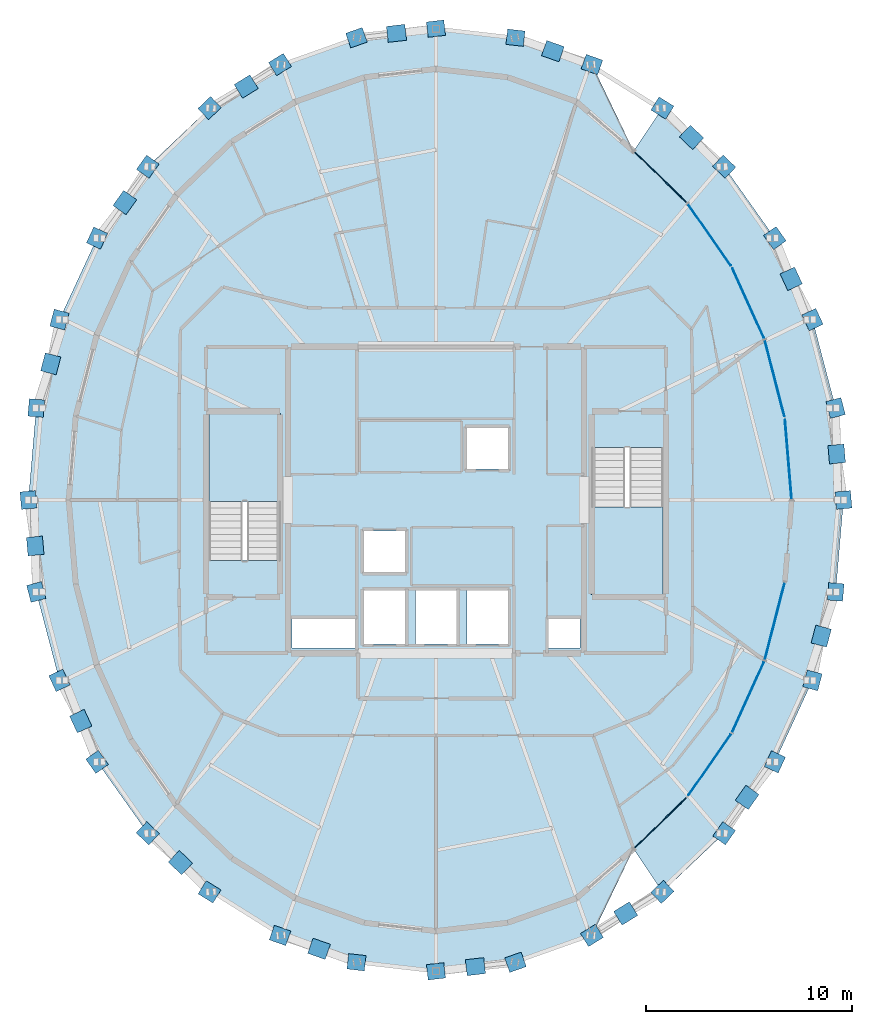
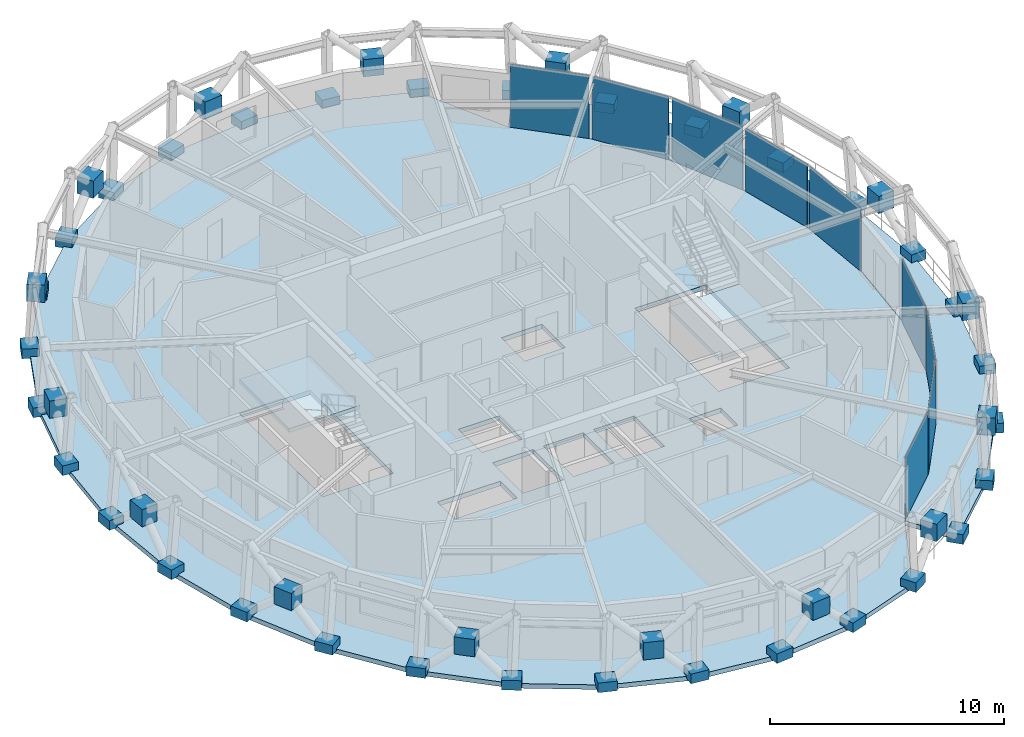
# One storey, part 10 of 15: 57 plates, 4 slabs, 4 elements without a shape of their own.
"""IFC4 building model written with IfcOpenShell, lengths in metres."""

from ifc_helpers import new_model, si_unit, direction, frame, origin, origin_2d, place, context, subcontext, project, spatial, polyline, rectangle, outline, extrude, material, layer, layer_set, type_object, element, aggregate, save


model = new_model("IFC4")

# Units and contexts
model_context = context("Model", 3, precision=1e-05, world=origin(), true_north=direction((0.0, 1.0)))
body_context = subcontext(model_context, "Body", "Model", "MODEL_VIEW")
ifc_project = project(units=[si_unit("LENGTHUNIT", "METRE"), si_unit("AREAUNIT", "SQUARE_METRE"), si_unit("VOLUMEUNIT", "CUBIC_METRE"), si_unit("PLANEANGLEUNIT", "RADIAN"), si_unit("MASSUNIT", "GRAM", prefix="KILO")], contexts=[model_context])

# Site, building, storey
site_placement = place(None, origin())
site = spatial("IfcSite", under=ifc_project, at=site_placement, CompositionType="ELEMENT")
building_placement = place(site_placement, origin())
building = spatial("IfcBuilding", under=site, at=building_placement, Name="Veldorina Hangang Commons", CompositionType="ELEMENT")
storey_placement = place(building_placement, frame((0.0, 0.0, 290.39990234375)))
storey = spatial("IfcBuildingStorey", under=building, at=storey_placement, Name="L76", CompositionType="ELEMENT", Elevation=290.39990234375)

# Curtain wall, plates
ifc_material_1 = material(Name="Glass Low-E Selective", Category="glass")
ifc_layer_1 = layer(ifc_material_1, 0.179931640625)
ifc_layer_set_1 = layer_set([ifc_layer_1], Name="Glass Low-E Selective")
curtain_wall_type = type_object("IfcCurtainWallType", Name="CW-SYS-Z3", PredefinedType="NOTDEFINED", material=ifc_layer_set_1)
curtain_wall_1_placement = place(storey_placement, origin())
curtain_wall_1 = element("IfcCurtainWall", 1, at=curtain_wall_1_placement, inside=storey, type_object=curtain_wall_type, Name="L76 unitised curtain wall CW-L76-R1", PredefinedType="NOTDEFINED")
ifc_material_2 = material(Name="Glass Low-E Triple IGU", Category="glass")
ifc_layer_2 = layer(ifc_material_2, 0.0400390625)
ifc_layer_set_2 = layer_set([ifc_layer_2], Name="Glass Low-E Triple IGU")
plate_type_1 = type_object("IfcPlateType", Name="CW-PNL-VIS", PredefinedType="CURTAIN_PANEL", material=ifc_layer_set_2)
plate_1_placement = place(storey_placement, frame((49.135009765625, 25.990234375, 0.01513671875), z_axis=(0.0, 0.0, 1.0), x_axis=(-0.083208247862, 0.996532180859, 0.0)))
plate_1 = element("IfcPlate", 2, at=plate_1_placement, type_object=plate_type_1, Name="CW-L76-R1 facet 1 glazed vision panel", PredefinedType="CURTAIN_PANEL", context=body_context, shape_type="SweptSolid", body=[
    extrude(rectangle(XDim=3.814697265625, YDim=0.0400390625, at=origin_2d()), origin(), (0.0, 0.0, 1.0), 3.2900390625),
])
plate_2_placement = place(storey_placement, frame((48.4765625, 29.89453125, 0.01513671875), z_axis=(0.0, 0.0, 1.0), x_axis=(-0.249129390641, 0.968470209515, 0.0)))
plate_2 = element("IfcPlate", 3, at=plate_2_placement, type_object=plate_type_1, Name="CW-L76-R1 facet 2 glazed vision panel", PredefinedType="CURTAIN_PANEL", context=body_context, shape_type="SweptSolid", body=[
    extrude(rectangle(XDim=3.772216796875, YDim=0.0400390625, at=origin_2d()), origin(), (0.0, 0.0, 1.0), 3.2900390625),
])
plate_3_placement = place(storey_placement, frame((47.184814453125, 33.572265625, 0.01513671875), z_axis=(0.0, 0.0, 1.0), x_axis=(-0.412802412978, 0.910820601348, 0.0)))
plate_3 = element("IfcPlate", 4, at=plate_3_placement, type_object=plate_type_1, Name="CW-L76-R1 facet 3 glazed vision panel", PredefinedType="CURTAIN_PANEL", context=body_context, shape_type="SweptSolid", body=[
    extrude(rectangle(XDim=3.693115234375, YDim=0.0400390625, at=origin_2d()), origin(), (0.0, 0.0, 1.0), 3.2900390625),
])
plate_4_placement = place(storey_placement, frame((45.309814453125, 36.882080078125, 0.01513671875), z_axis=(0.0, 0.0, 1.0), x_axis=(-0.57118642099, 0.820820365535, 0.0)))
plate_4 = element("IfcPlate", 5, at=plate_4_placement, type_object=plate_type_1, Name="CW-L76-R1 facet 4 glazed vision panel", PredefinedType="CURTAIN_PANEL", context=body_context, shape_type="SweptSolid", body=[
    extrude(rectangle(XDim=3.5869140625, YDim=0.0400390625, at=origin_2d()), origin(), (0.0, 0.0, 1.0), 3.2900390625),
])
plate_5_placement = place(storey_placement, frame((42.923095703125, 39.69677734375, 0.01513671875), z_axis=(0.0, 0.0, 1.0), x_axis=(-0.718551272686, 0.695473988386, 0.0)))
plate_5 = element("IfcPlate", 6, at=plate_5_placement, type_object=plate_type_1, Name="CW-L76-R1 facet 5 glazed vision panel", PredefinedType="CURTAIN_PANEL", context=body_context, shape_type="SweptSolid", body=[
    extrude(rectangle(XDim=3.46875, YDim=0.0400390625, at=origin_2d()), origin(), (0.0, 0.0, 1.0), 3.2900390625),
])
aggregate(curtain_wall_1, [plate_1, plate_2, plate_3, plate_4, plate_5])

curtain_wall_2_placement = place(storey_placement, origin())
curtain_wall_2 = element("IfcCurtainWall", 7, at=curtain_wall_2_placement, inside=storey, type_object=curtain_wall_type, Name="L76 unitised curtain wall CW-L76-R2", PredefinedType="NOTDEFINED")
plate_6_placement = place(storey_placement, frame((42.923095703125, 8.30322265625, 0.01513671875), z_axis=(0.0, 0.0, 1.0), x_axis=(0.718551272686, 0.695473988386, 0.0)))
plate_6 = element("IfcPlate", 8, at=plate_6_placement, type_object=plate_type_1, Name="CW-L76-R2 facet 1 glazed vision panel", PredefinedType="CURTAIN_PANEL", context=body_context, shape_type="SweptSolid", body=[
    extrude(rectangle(XDim=3.46875, YDim=0.0400390625, at=origin_2d()), origin(), (0.0, 0.0, 1.0), 3.2900390625),
])
plate_7_placement = place(storey_placement, frame((45.309814453125, 11.1181640625, 0.01513671875), z_axis=(0.0, 0.0, 1.0), x_axis=(0.57118642099, 0.820820365535, 0.0)))
plate_7 = element("IfcPlate", 9, at=plate_7_placement, type_object=plate_type_1, Name="CW-L76-R2 facet 2 glazed vision panel", PredefinedType="CURTAIN_PANEL", context=body_context, shape_type="SweptSolid", body=[
    extrude(rectangle(XDim=3.5869140625, YDim=0.0400390625, at=origin_2d()), origin(), (0.0, 0.0, 1.0), 3.2900390625),
])
plate_8_placement = place(storey_placement, frame((47.184814453125, 14.427734375, 0.01513671875), z_axis=(0.0, 0.0, 1.0), x_axis=(0.412802412978, 0.910820601348, 0.0)))
plate_8 = element("IfcPlate", 10, at=plate_8_placement, type_object=plate_type_1, Name="CW-L76-R2 facet 3 glazed vision panel", PredefinedType="CURTAIN_PANEL", context=body_context, shape_type="SweptSolid", body=[
    extrude(rectangle(XDim=3.693115234375, YDim=0.0400390625, at=origin_2d()), origin(), (0.0, 0.0, 1.0), 3.2900390625),
])
plate_9_placement = place(storey_placement, frame((48.4765625, 18.10546875, 0.01513671875), z_axis=(0.0, 0.0, 1.0), x_axis=(0.249129390641, 0.968470209515, 0.0)))
plate_9 = element("IfcPlate", 11, at=plate_9_placement, type_object=plate_type_1, Name="CW-L76-R2 facet 4 glazed vision panel", PredefinedType="CURTAIN_PANEL", context=body_context, shape_type="SweptSolid", body=[
    extrude(rectangle(XDim=3.772216796875, YDim=0.0400390625, at=origin_2d()), origin(), (0.0, 0.0, 1.0), 3.2900390625),
])
aggregate(curtain_wall_2, [plate_6, plate_7, plate_8, plate_9])

# Plates
ifc_material_3 = material(Name="Steel SM460-TMC", Category="steel")
ifc_layer_3 = layer(ifc_material_3, 0.035888671875)
ifc_layer_set_3 = layer_set([ifc_layer_3], Name="Steel SM460-TMC")
plate_type_2 = type_object("IfcPlateType", Name="PL-STAR-36", PredefinedType="USERDEFINED", material=ifc_layer_set_3)
plate_10_placement = place(storey_placement, frame((51.8212890625, 24.0, -0.08984375), z_axis=(0.0, 0.0, 1.0), x_axis=(-0.084860445655, 0.996392846604, 0.0)))
element("IfcPlate", 12, at=plate_10_placement, inside=storey, type_object=plate_type_2, Name="L76 diagrid star-node gusset plate 00", ObjectType="GUSSET PLATE", PredefinedType="USERDEFINED", context=body_context, shape_type="SweptSolid", body=[
    extrude(rectangle(XDim=0.85009765625, YDim=0.75, at=origin_2d()), origin(), (0.0, 0.0, 1.0), 0.5),
])
plate_11_placement = place(storey_placement, frame((51.49072265625, 26.235595703125, 1.350830078125), z_axis=(0.0, 0.0, 1.0), x_axis=(-0.084860445655, 0.996392846604, 0.0)))
element("IfcPlate", 13, at=plate_11_placement, inside=storey, type_object=plate_type_2, Name="L76 diagrid X-crossing star-node gusset plate 00", ObjectType="GUSSET PLATE", PredefinedType="USERDEFINED", context=body_context, shape_type="SweptSolid", body=[
    extrude(rectangle(XDim=0.89990234375, YDim=0.780029296875, at=origin_2d()), origin(), (0.0, 0.0, 1.0), 0.89990234375),
])
for number, where, z_axis, x_axis, name in (
    (14, (51.4404296875, 28.472412109375, -0.08984375), (0.0, 0.0, 1.0), (-0.253690415938, 0.967285466065, 0.0), "L76 diagrid star-node gusset plate 01"),
    (15, (50.3125, 32.772705078125, -0.08984375), (0.0, 0.0, 1.0), (-0.419531299378, 0.907740870977, 0.0), "L76 diagrid star-node gusset plate 02"),
):
    element("IfcPlate", number, at=place(storey_placement, frame(where, z_axis=z_axis, x_axis=x_axis)), inside=storey, type_object=plate_type_2, Name=name, ObjectType="GUSSET PLATE", PredefinedType="USERDEFINED", context=body_context, shape_type="SweptSolid", body=[
        extrude(rectangle(XDim=0.85009765625, YDim=0.75, at=origin_2d()), origin(), (0.0, 0.0, 1.0), 0.5),
    ])
plate_12_placement = place(storey_placement, frame((49.276611328125, 34.75390625, 1.352783203125), z_axis=(0.0, 0.0, 1.0), x_axis=(-0.419531299378, 0.907740870977, 0.0)))
element("IfcPlate", 16, at=plate_12_placement, inside=storey, type_object=plate_type_2, Name="L76 diagrid X-crossing star-node gusset plate 02", ObjectType="GUSSET PLATE", PredefinedType="USERDEFINED", context=body_context, shape_type="SweptSolid", body=[
    extrude(rectangle(XDim=0.89990234375, YDim=0.780029296875, at=origin_2d()), origin(), (0.0, 0.0, 1.0), 0.89990234375),
])
for number, where, z_axis, x_axis, name in (
    (17, (48.480712890625, 36.736083984375, -0.08984375), (0.0, 0.0, 1.0), (-0.57869773086, 0.815542111909, 0.0), "L76 diagrid star-node gusset plate 03"),
    (18, (46.015869140625, 40.2099609375, -0.08984375), (0.0, 0.0, 1.0), (-0.725314297982, 0.688417873928, 0.0), "L76 diagrid star-node gusset plate 04"),
):
    element("IfcPlate", number, at=place(storey_placement, frame(where, z_axis=z_axis, x_axis=x_axis)), inside=storey, type_object=plate_type_2, Name=name, ObjectType="GUSSET PLATE", PredefinedType="USERDEFINED", context=body_context, shape_type="SweptSolid", body=[
        extrude(rectangle(XDim=0.85009765625, YDim=0.75, at=origin_2d()), origin(), (0.0, 0.0, 1.0), 0.5),
    ])
plate_13_placement = place(storey_placement, frame((44.428466796875, 41.635986328125, 1.357177734375), z_axis=(0.0, 0.0, 1.0), x_axis=(-0.725314297982, 0.688417873928, 0.0)))
element("IfcPlate", 19, at=plate_13_placement, inside=storey, type_object=plate_type_2, Name="L76 diagrid X-crossing star-node gusset plate 04", ObjectType="GUSSET PLATE", PredefinedType="USERDEFINED", context=body_context, shape_type="SweptSolid", body=[
    extrude(rectangle(XDim=0.89990234375, YDim=0.780029296875, at=origin_2d()), origin(), (0.0, 0.0, 1.0), 0.89990234375),
])
for number, where, z_axis, x_axis, name in (
    (20, (43.01220703125, 43.060791015625, -0.08984375), (0.0, 0.0, 1.0), (-0.850590925738, 0.525827991886, 0.0), "L76 diagrid star-node gusset plate 05"),
    (21, (39.585205078125, 45.17919921875, -0.08984375), (0.0, 0.0, 1.0), (-0.943616210334, 0.331041459028, 0.0), "L76 diagrid star-node gusset plate 06"),
):
    element("IfcPlate", number, at=place(storey_placement, frame(where, z_axis=z_axis, x_axis=x_axis)), inside=storey, type_object=plate_type_2, Name=name, ObjectType="GUSSET PLATE", PredefinedType="USERDEFINED", context=body_context, shape_type="SweptSolid", body=[
        extrude(rectangle(XDim=0.85009765625, YDim=0.75, at=origin_2d()), origin(), (0.0, 0.0, 1.0), 0.5),
    ])
plate_14_placement = place(storey_placement, frame((37.68603515625, 45.82958984375, 1.36181640625), z_axis=(0.0, 0.0, 1.0), x_axis=(-0.943616210334, 0.331041459028, 0.0)))
element("IfcPlate", 22, at=plate_14_placement, inside=storey, type_object=plate_type_2, Name="L76 diagrid X-crossing star-node gusset plate 06", ObjectType="GUSSET PLATE", PredefinedType="USERDEFINED", context=body_context, shape_type="SweptSolid", body=[
    extrude(rectangle(XDim=0.89990234375, YDim=0.780029296875, at=origin_2d()), origin(), (0.0, 0.0, 1.0), 0.89990234375),
])
for number, where, z_axis, x_axis, name in (
    (23, (35.866943359375, 46.483642578125, -0.08984375), (0.0, 0.0, 1.0), (-0.993573831294, 0.11318587265, 0.0), "L76 diagrid star-node gusset plate 07"),
    (24, (32.0, 46.92431640625, -0.08984375), (0.0, 0.0, 1.0), (-0.993573831294, -0.11318587265, 0.0), "L76 diagrid star-node gusset plate 08"),
):
    element("IfcPlate", number, at=place(storey_placement, frame(where, z_axis=z_axis, x_axis=x_axis)), inside=storey, type_object=plate_type_2, Name=name, ObjectType="GUSSET PLATE", PredefinedType="USERDEFINED", context=body_context, shape_type="SweptSolid", body=[
        extrude(rectangle(XDim=0.85009765625, YDim=0.75, at=origin_2d()), origin(), (0.0, 0.0, 1.0), 0.5),
    ])
plate_15_placement = place(storey_placement, frame((30.080810546875, 46.6962890625, 1.363037109375), z_axis=(0.0, 0.0, 1.0), x_axis=(-0.993573831294, -0.11318587265, 0.0)))
element("IfcPlate", 25, at=plate_15_placement, inside=storey, type_object=plate_type_2, Name="L76 diagrid X-crossing star-node gusset plate 08", ObjectType="GUSSET PLATE", PredefinedType="USERDEFINED", context=body_context, shape_type="SweptSolid", body=[
    extrude(rectangle(XDim=0.89990234375, YDim=0.780029296875, at=origin_2d()), origin(), (0.0, 0.0, 1.0), 0.89990234375),
])
for number, where, z_axis, x_axis, name in (
    (26, (28.133056640625, 46.483642578125, -0.08984375), (0.0, 0.0, 1.0), (-0.943616210334, -0.331041459028, 0.0), "L76 diagrid star-node gusset plate 09"),
    (27, (24.414794921875, 45.17919921875, -0.08984375), (0.0, 0.0, 1.0), (-0.850590925738, -0.525827991886, 0.0), "L76 diagrid star-node gusset plate 10"),
):
    element("IfcPlate", number, at=place(storey_placement, frame(where, z_axis=z_axis, x_axis=x_axis)), inside=storey, type_object=plate_type_2, Name=name, ObjectType="GUSSET PLATE", PredefinedType="USERDEFINED", context=body_context, shape_type="SweptSolid", body=[
        extrude(rectangle(XDim=0.85009765625, YDim=0.75, at=origin_2d()), origin(), (0.0, 0.0, 1.0), 0.5),
    ])
plate_16_placement = place(storey_placement, frame((22.77197265625, 44.109375, 1.359619140625), z_axis=(0.0, 0.0, 1.0), x_axis=(-0.850590925738, -0.525827991886, 0.0)))
element("IfcPlate", 28, at=plate_16_placement, inside=storey, type_object=plate_type_2, Name="L76 diagrid X-crossing star-node gusset plate 10", ObjectType="GUSSET PLATE", PredefinedType="USERDEFINED", context=body_context, shape_type="SweptSolid", body=[
    extrude(rectangle(XDim=0.89990234375, YDim=0.780029296875, at=origin_2d()), origin(), (0.0, 0.0, 1.0), 0.89990234375),
])
for number, where, z_axis, x_axis, name in (
    (29, (20.98779296875, 43.060791015625, -0.08984375), (0.0, 0.0, 1.0), (-0.725314297982, -0.688417873928, 0.0), "L76 diagrid star-node gusset plate 11"),
    (30, (17.984130859375, 40.2099609375, -0.08984375), (0.0, 0.0, 1.0), (-0.57869773086, -0.815542111909, 0.0), "L76 diagrid star-node gusset plate 12"),
):
    element("IfcPlate", number, at=place(storey_placement, frame(where, z_axis=z_axis, x_axis=x_axis)), inside=storey, type_object=plate_type_2, Name=name, ObjectType="GUSSET PLATE", PredefinedType="USERDEFINED", context=body_context, shape_type="SweptSolid", body=[
        extrude(rectangle(XDim=0.85009765625, YDim=0.75, at=origin_2d()), origin(), (0.0, 0.0, 1.0), 0.5),
    ])
plate_17_placement = place(storey_placement, frame((16.867431640625, 38.465087890625, 1.354736328125), z_axis=(0.0, 0.0, 1.0), x_axis=(-0.57869773086, -0.815542111909, 0.0)))
element("IfcPlate", 31, at=plate_17_placement, inside=storey, type_object=plate_type_2, Name="L76 diagrid X-crossing star-node gusset plate 12", ObjectType="GUSSET PLATE", PredefinedType="USERDEFINED", context=body_context, shape_type="SweptSolid", body=[
    extrude(rectangle(XDim=0.89990234375, YDim=0.780029296875, at=origin_2d()), origin(), (0.0, 0.0, 1.0), 0.89990234375),
])
for number, where, z_axis, x_axis, name in (
    (32, (15.519287109375, 36.736083984375, -0.08984375), (0.0, 0.0, 1.0), (-0.419531299378, -0.907740870977, 0.0), "L76 diagrid star-node gusset plate 13"),
    (33, (13.6875, 32.772705078125, -0.08984375), (0.0, 0.0, 1.0), (-0.253690415938, -0.967285466065, 0.0), "L76 diagrid star-node gusset plate 14"),
):
    element("IfcPlate", number, at=place(storey_placement, frame(where, z_axis=z_axis, x_axis=x_axis)), inside=storey, type_object=plate_type_2, Name=name, ObjectType="GUSSET PLATE", PredefinedType="USERDEFINED", context=body_context, shape_type="SweptSolid", body=[
        extrude(rectangle(XDim=0.85009765625, YDim=0.75, at=origin_2d()), origin(), (0.0, 0.0, 1.0), 0.5),
    ])
plate_18_placement = place(storey_placement, frame((13.26318359375, 30.619873046875, 1.3515625), z_axis=(0.0, 0.0, 1.0), x_axis=(-0.253690415938, -0.967285466065, 0.0)))
element("IfcPlate", 34, at=plate_18_placement, inside=storey, type_object=plate_type_2, Name="L76 diagrid X-crossing star-node gusset plate 14", ObjectType="GUSSET PLATE", PredefinedType="USERDEFINED", context=body_context, shape_type="SweptSolid", body=[
    extrude(rectangle(XDim=0.89990234375, YDim=0.780029296875, at=origin_2d()), origin(), (0.0, 0.0, 1.0), 0.89990234375),
])
for number, where, z_axis, x_axis, name in (
    (35, (12.5595703125, 28.472412109375, -0.08984375), (0.0, 0.0, 1.0), (-0.084860445655, -0.996392846604, 0.0), "L76 diagrid star-node gusset plate 15"),
    (36, (12.1787109375, 24.0, -0.08984375), (0.0, 0.0, 1.0), (0.084860445655, -0.996392846604, 0.0), "L76 diagrid star-node gusset plate 16"),
):
    element("IfcPlate", number, at=place(storey_placement, frame(where, z_axis=z_axis, x_axis=x_axis)), inside=storey, type_object=plate_type_2, Name=name, ObjectType="GUSSET PLATE", PredefinedType="USERDEFINED", context=body_context, shape_type="SweptSolid", body=[
        extrude(rectangle(XDim=0.85009765625, YDim=0.75, at=origin_2d()), origin(), (0.0, 0.0, 1.0), 0.5),
    ])
plate_19_placement = place(storey_placement, frame((12.50927734375, 21.764404296875, 1.350830078125), z_axis=(0.0, 0.0, 1.0), x_axis=(0.084860445655, -0.996392846604, 0.0)))
element("IfcPlate", 37, at=plate_19_placement, inside=storey, type_object=plate_type_2, Name="L76 diagrid X-crossing star-node gusset plate 16", ObjectType="GUSSET PLATE", PredefinedType="USERDEFINED", context=body_context, shape_type="SweptSolid", body=[
    extrude(rectangle(XDim=0.89990234375, YDim=0.780029296875, at=origin_2d()), origin(), (0.0, 0.0, 1.0), 0.89990234375),
])
for number, where, z_axis, x_axis, name in (
    (38, (12.5595703125, 19.527587890625, -0.08984375), (0.0, 0.0, 1.0), (0.253690415938, -0.967285466065, 0.0), "L76 diagrid star-node gusset plate 17"),
    (39, (13.6875, 15.227294921875, -0.08984375), (0.0, 0.0, 1.0), (0.419531299378, -0.907740870977, 0.0), "L76 diagrid star-node gusset plate 18"),
):
    element("IfcPlate", number, at=place(storey_placement, frame(where, z_axis=z_axis, x_axis=x_axis)), inside=storey, type_object=plate_type_2, Name=name, ObjectType="GUSSET PLATE", PredefinedType="USERDEFINED", context=body_context, shape_type="SweptSolid", body=[
        extrude(rectangle(XDim=0.85009765625, YDim=0.75, at=origin_2d()), origin(), (0.0, 0.0, 1.0), 0.5),
    ])
plate_20_placement = place(storey_placement, frame((14.723388671875, 13.24609375, 1.352783203125), z_axis=(0.0, 0.0, 1.0), x_axis=(0.419531299378, -0.907740870977, 0.0)))
element("IfcPlate", 40, at=plate_20_placement, inside=storey, type_object=plate_type_2, Name="L76 diagrid X-crossing star-node gusset plate 18", ObjectType="GUSSET PLATE", PredefinedType="USERDEFINED", context=body_context, shape_type="SweptSolid", body=[
    extrude(rectangle(XDim=0.89990234375, YDim=0.780029296875, at=origin_2d()), origin(), (0.0, 0.0, 1.0), 0.89990234375),
])
for number, where, z_axis, x_axis, name in (
    (41, (15.519287109375, 11.263916015625, -0.08984375), (0.0, 0.0, 1.0), (0.57869773086, -0.815542111909, 0.0), "L76 diagrid star-node gusset plate 19"),
    (42, (17.984130859375, 7.7900390625, -0.08984375), (0.0, 0.0, 1.0), (0.725314297982, -0.688417873928, 0.0), "L76 diagrid star-node gusset plate 20"),
):
    element("IfcPlate", number, at=place(storey_placement, frame(where, z_axis=z_axis, x_axis=x_axis)), inside=storey, type_object=plate_type_2, Name=name, ObjectType="GUSSET PLATE", PredefinedType="USERDEFINED", context=body_context, shape_type="SweptSolid", body=[
        extrude(rectangle(XDim=0.85009765625, YDim=0.75, at=origin_2d()), origin(), (0.0, 0.0, 1.0), 0.5),
    ])
plate_21_placement = place(storey_placement, frame((19.571533203125, 6.364013671875, 1.357177734375), z_axis=(0.0, 0.0, 1.0), x_axis=(0.725314297982, -0.688417873928, 0.0)))
element("IfcPlate", 43, at=plate_21_placement, inside=storey, type_object=plate_type_2, Name="L76 diagrid X-crossing star-node gusset plate 20", ObjectType="GUSSET PLATE", PredefinedType="USERDEFINED", context=body_context, shape_type="SweptSolid", body=[
    extrude(rectangle(XDim=0.89990234375, YDim=0.780029296875, at=origin_2d()), origin(), (0.0, 0.0, 1.0), 0.89990234375),
])
for number, where, z_axis, x_axis, name in (
    (44, (20.98779296875, 4.939208984375, -0.08984375), (0.0, 0.0, 1.0), (0.850590925738, -0.525827991886, 0.0), "L76 diagrid star-node gusset plate 21"),
    (45, (24.414794921875, 2.82080078125, -0.08984375), (0.0, 0.0, 1.0), (0.943616210334, -0.331041459028, 0.0), "L76 diagrid star-node gusset plate 22"),
):
    element("IfcPlate", number, at=place(storey_placement, frame(where, z_axis=z_axis, x_axis=x_axis)), inside=storey, type_object=plate_type_2, Name=name, ObjectType="GUSSET PLATE", PredefinedType="USERDEFINED", context=body_context, shape_type="SweptSolid", body=[
        extrude(rectangle(XDim=0.85009765625, YDim=0.75, at=origin_2d()), origin(), (0.0, 0.0, 1.0), 0.5),
    ])
plate_22_placement = place(storey_placement, frame((26.31396484375, 2.17041015625, 1.36181640625), z_axis=(0.0, 0.0, 1.0), x_axis=(0.943616210334, -0.331041459028, 0.0)))
element("IfcPlate", 46, at=plate_22_placement, inside=storey, type_object=plate_type_2, Name="L76 diagrid X-crossing star-node gusset plate 22", ObjectType="GUSSET PLATE", PredefinedType="USERDEFINED", context=body_context, shape_type="SweptSolid", body=[
    extrude(rectangle(XDim=0.89990234375, YDim=0.780029296875, at=origin_2d()), origin(), (0.0, 0.0, 1.0), 0.89990234375),
])
for number, where, z_axis, x_axis, name in (
    (47, (28.133056640625, 1.516357421875, -0.08984375), (0.0, 0.0, 1.0), (0.993573831294, -0.11318587265, 0.0), "L76 diagrid star-node gusset plate 23"),
    (48, (32.0, 1.07568359375, -0.08984375), (0.0, 0.0, 1.0), (0.993573831294, 0.11318587265, 0.0), "L76 diagrid star-node gusset plate 24"),
):
    element("IfcPlate", number, at=place(storey_placement, frame(where, z_axis=z_axis, x_axis=x_axis)), inside=storey, type_object=plate_type_2, Name=name, ObjectType="GUSSET PLATE", PredefinedType="USERDEFINED", context=body_context, shape_type="SweptSolid", body=[
        extrude(rectangle(XDim=0.85009765625, YDim=0.75, at=origin_2d()), origin(), (0.0, 0.0, 1.0), 0.5),
    ])
plate_23_placement = place(storey_placement, frame((33.919189453125, 1.3037109375, 1.363037109375), z_axis=(0.0, 0.0, 1.0), x_axis=(0.993573831294, 0.11318587265, 0.0)))
element("IfcPlate", 49, at=plate_23_placement, inside=storey, type_object=plate_type_2, Name="L76 diagrid X-crossing star-node gusset plate 24", ObjectType="GUSSET PLATE", PredefinedType="USERDEFINED", context=body_context, shape_type="SweptSolid", body=[
    extrude(rectangle(XDim=0.89990234375, YDim=0.780029296875, at=origin_2d()), origin(), (0.0, 0.0, 1.0), 0.89990234375),
])
for number, where, z_axis, x_axis, name in (
    (50, (35.866943359375, 1.516357421875, -0.08984375), (0.0, 0.0, 1.0), (0.943616210334, 0.331041459028, 0.0), "L76 diagrid star-node gusset plate 25"),
    (51, (39.585205078125, 2.82080078125, -0.08984375), (0.0, 0.0, 1.0), (0.850590925738, 0.525827991886, 0.0), "L76 diagrid star-node gusset plate 26"),
):
    element("IfcPlate", number, at=place(storey_placement, frame(where, z_axis=z_axis, x_axis=x_axis)), inside=storey, type_object=plate_type_2, Name=name, ObjectType="GUSSET PLATE", PredefinedType="USERDEFINED", context=body_context, shape_type="SweptSolid", body=[
        extrude(rectangle(XDim=0.85009765625, YDim=0.75, at=origin_2d()), origin(), (0.0, 0.0, 1.0), 0.5),
    ])
plate_24_placement = place(storey_placement, frame((41.22802734375, 3.890625, 1.359619140625), z_axis=(0.0, 0.0, 1.0), x_axis=(0.850590925738, 0.525827991886, 0.0)))
element("IfcPlate", 52, at=plate_24_placement, inside=storey, type_object=plate_type_2, Name="L76 diagrid X-crossing star-node gusset plate 26", ObjectType="GUSSET PLATE", PredefinedType="USERDEFINED", context=body_context, shape_type="SweptSolid", body=[
    extrude(rectangle(XDim=0.89990234375, YDim=0.780029296875, at=origin_2d()), origin(), (0.0, 0.0, 1.0), 0.89990234375),
])
for number, where, z_axis, x_axis, name in (
    (53, (43.01220703125, 4.939208984375, -0.08984375), (0.0, 0.0, 1.0), (0.725314297982, 0.688417873928, 0.0), "L76 diagrid star-node gusset plate 27"),
    (54, (46.015869140625, 7.7900390625, -0.08984375), (0.0, 0.0, 1.0), (0.57869773086, 0.815542111909, 0.0), "L76 diagrid star-node gusset plate 28"),
):
    element("IfcPlate", number, at=place(storey_placement, frame(where, z_axis=z_axis, x_axis=x_axis)), inside=storey, type_object=plate_type_2, Name=name, ObjectType="GUSSET PLATE", PredefinedType="USERDEFINED", context=body_context, shape_type="SweptSolid", body=[
        extrude(rectangle(XDim=0.85009765625, YDim=0.75, at=origin_2d()), origin(), (0.0, 0.0, 1.0), 0.5),
    ])
plate_25_placement = place(storey_placement, frame((47.132568359375, 9.534912109375, 1.354736328125), z_axis=(0.0, 0.0, 1.0), x_axis=(0.57869773086, 0.815542111909, 0.0)))
element("IfcPlate", 55, at=plate_25_placement, inside=storey, type_object=plate_type_2, Name="L76 diagrid X-crossing star-node gusset plate 28", ObjectType="GUSSET PLATE", PredefinedType="USERDEFINED", context=body_context, shape_type="SweptSolid", body=[
    extrude(rectangle(XDim=0.89990234375, YDim=0.780029296875, at=origin_2d()), origin(), (0.0, 0.0, 1.0), 0.89990234375),
])
for number, where, z_axis, x_axis, name in (
    (56, (48.480712890625, 11.263916015625, -0.08984375), (0.0, 0.0, 1.0), (0.419531299378, 0.907740870977, 0.0), "L76 diagrid star-node gusset plate 29"),
    (57, (50.3125, 15.227294921875, -0.08984375), (0.0, 0.0, 1.0), (0.253690415938, 0.967285466065, 0.0), "L76 diagrid star-node gusset plate 30"),
):
    element("IfcPlate", number, at=place(storey_placement, frame(where, z_axis=z_axis, x_axis=x_axis)), inside=storey, type_object=plate_type_2, Name=name, ObjectType="GUSSET PLATE", PredefinedType="USERDEFINED", context=body_context, shape_type="SweptSolid", body=[
        extrude(rectangle(XDim=0.85009765625, YDim=0.75, at=origin_2d()), origin(), (0.0, 0.0, 1.0), 0.5),
    ])
plate_26_placement = place(storey_placement, frame((50.73681640625, 17.380126953125, 1.3515625), z_axis=(0.0, 0.0, 1.0), x_axis=(0.253690415938, 0.967285466065, 0.0)))
element("IfcPlate", 58, at=plate_26_placement, inside=storey, type_object=plate_type_2, Name="L76 diagrid X-crossing star-node gusset plate 30", ObjectType="GUSSET PLATE", PredefinedType="USERDEFINED", context=body_context, shape_type="SweptSolid", body=[
    extrude(rectangle(XDim=0.89990234375, YDim=0.780029296875, at=origin_2d()), origin(), (0.0, 0.0, 1.0), 0.89990234375),
])
plate_27_placement = place(storey_placement, frame((51.4404296875, 19.527587890625, -0.08984375), z_axis=(0.0, 0.0, 1.0), x_axis=(0.084860445655, 0.996392846604, 0.0)))
element("IfcPlate", 59, at=plate_27_placement, inside=storey, type_object=plate_type_2, Name="L76 diagrid star-node gusset plate 31", ObjectType="GUSSET PLATE", PredefinedType="USERDEFINED", context=body_context, shape_type="SweptSolid", body=[
    extrude(rectangle(XDim=0.85009765625, YDim=0.75, at=origin_2d()), origin(), (0.0, 0.0, 1.0), 0.5),
])

# Slabs
ifc_material_4 = material(Name="Concrete C40/50", Category="concrete")
ifc_layer_4 = layer(ifc_material_4, 0.239990234375)
ifc_layer_set_4 = layer_set([ifc_layer_4], Name="Concrete C40/50")
slab_type_1 = type_object("IfcSlabType", Name="SL-FLR-240", PredefinedType="FLOOR", material=ifc_layer_set_4)
slab_1_placement = place(storey_placement, frame((0.0, 0.0, -0.239990234375)))
element("IfcSlab", 60, at=slab_1_placement, inside=storey, type_object=slab_type_1, Name="L76 tower structural floor slab", PredefinedType="FLOOR", context=body_context, shape_type="SweptSolid", body=[
    extrude(outline(polyline([(49.30126953125, 24.0), (48.968994140625, 27.980712890625), (47.984375, 31.808349609375), (46.385498046875, 35.3359375), (44.23388671875, 38.427978515625), (41.612060546875, 40.965576171875), (39.585205078125, 45.17919921875), (35.866943359375, 46.483642578125), (32.0, 46.92431640625), (28.133056640625, 46.483642578125), (24.414794921875, 45.17919921875), (20.98779296875, 43.060791015625), (17.984130859375, 40.2099609375), (15.519287109375, 36.736083984375), (13.6875, 32.772705078125), (12.5595703125, 28.472412109375), (12.1787109375, 24.0), (12.5595703125, 19.527587890625), (13.6875, 15.227294921875), (15.519287109375, 11.263916015625), (17.984130859375, 7.7900390625), (20.98779296875, 4.939208984375), (24.414794921875, 2.82080078125), (28.133056640625, 1.516357421875), (32.0, 1.07568359375), (35.866943359375, 1.516357421875), (39.585205078125, 2.82080078125), (41.612060546875, 7.034423828125), (44.23388671875, 9.572021484375), (46.385498046875, 12.6640625), (47.984375, 16.191650390625), (48.968994140625, 20.019287109375), (49.30126953125, 24.0)]), holes=[polyline([(20.949951171875, 21.05810546875), (20.949951171875, 28.199951171875), (24.449951171875, 28.199951171875), (24.449951171875, 21.05810546875), (20.949951171875, 21.05810546875)]), polyline([(43.050048828125, 26.5419921875), (43.050048828125, 19.39990234375), (39.550048828125, 19.39990234375), (39.550048828125, 26.5419921875), (43.050048828125, 26.5419921875)]), polyline([(33.5, 27.5), (35.5, 27.5), (35.5, 25.5), (33.5, 25.5), (33.5, 27.5)]), polyline([(28.5, 22.5), (30.5, 22.5), (30.5, 20.5), (28.5, 20.5), (28.5, 22.5)]), polyline([(28.5, 19.60009765625), (30.5, 19.60009765625), (30.5, 17.0), (28.5, 17.0), (28.5, 19.60009765625)]), polyline([(31.0, 19.60009765625), (33.0, 19.60009765625), (33.0, 17.0), (31.0, 17.0), (31.0, 19.60009765625)]), polyline([(33.5, 19.60009765625), (35.5, 19.60009765625), (35.5, 17.0), (33.5, 17.0), (33.5, 19.60009765625)]), polyline([(25.0, 18.25), (28.10009765625, 18.25), (28.10009765625, 16.800048828125), (25.0, 16.800048828125), (25.0, 18.25)]), polyline([(37.449951171875, 18.25), (39.0, 18.25), (39.0, 16.800048828125), (37.449951171875, 16.800048828125), (37.449951171875, 18.25)])]), origin(), (0.0, 0.0, 1.0), 0.239990234375),
])
slab_2_placement = place(storey_placement, frame((0.0, 0.0, -0.239990234375)))
element("IfcSlab", 61, at=slab_2_placement, inside=storey, type_object=slab_type_1, Name="L76 sky-garden loggia outdoor slab", PredefinedType="FLOOR", context=body_context, shape_type="SweptSolid", body=[
    extrude(outline(polyline([(43.01220703125, 43.060791015625), (46.015869140625, 40.2099609375), (48.480712890625, 36.736083984375), (50.3125, 32.772705078125), (51.4404296875, 28.472412109375), (51.8212890625, 24.0), (51.4404296875, 19.527587890625), (50.3125, 15.227294921875), (48.480712890625, 11.263916015625), (46.015869140625, 7.7900390625), (43.01220703125, 4.939208984375), (41.621826171875, 7.02001953125), (41.62451171875, 7.025634765625), (44.244384765625, 9.561279296875), (44.245361328125, 9.5625), (44.24609375, 9.5634765625), (46.397705078125, 12.655517578125), (46.3984375, 12.656494140625), (46.399169921875, 12.65771484375), (47.998046875, 16.185546875), (47.998291015625, 16.186767578125), (47.998779296875, 16.18798828125), (48.9833984375, 20.015625), (48.983642578125, 20.016845703125), (48.98388671875, 20.01806640625), (49.316162109375, 23.998779296875), (49.31640625, 24.0), (49.316162109375, 24.001220703125), (48.98388671875, 27.98193359375), (48.983642578125, 27.983154296875), (48.9833984375, 27.984375), (47.998779296875, 31.81201171875), (47.998291015625, 31.813232421875), (47.998046875, 31.814453125), (46.399169921875, 35.34228515625), (46.3984375, 35.343505859375), (46.397705078125, 35.344482421875), (44.24609375, 38.4365234375), (44.245361328125, 38.4375), (44.244384765625, 38.438720703125), (41.62451171875, 40.974365234375), (41.621826171875, 40.97998046875), (43.01220703125, 43.060791015625)])), origin(), (0.0, 0.0, 1.0), 0.239990234375),
])

# Stair, slab
stair_type = type_object("IfcStairType", Name="STR-DOG-1650-20R", PredefinedType="HALF_TURN_STAIR", material=ifc_material_4)
stair_1_placement = place(storey_placement, origin())
stair_1 = element("IfcStair", 62, at=stair_1_placement, inside=storey, type_object=stair_type, Name="L76 Exit stair ST-1", PredefinedType="HALF_TURN_STAIR")
ifc_layer_5 = layer(ifc_material_4, 0.199951171875)
ifc_layer_set_5 = layer_set([ifc_layer_5], Name="Concrete C40/50")
slab_type_2 = type_object("IfcSlabType", Name="SL-LND-200", PredefinedType="LANDING", material=ifc_layer_set_5)
slab_3_placement = place(storey_placement, frame((0.0, 0.0, 1.60009765625)))
slab_3 = element("IfcSlab", 63, at=slab_3_placement, type_object=slab_type_2, Name="ST-1 landing 1", PredefinedType="LANDING", context=body_context, shape_type="SweptSolid", body=[
    extrude(outline(polyline([(24.449951171875, 23.929931640625), (24.449951171875, 28.199951171875), (20.949951171875, 28.199951171875), (20.949951171875, 23.929931640625), (24.449951171875, 23.929931640625)])), origin(), (0.0, 0.0, 1.0), 0.199951171875),
])
aggregate(stair_1, [slab_3])

stair_2_placement = place(storey_placement, origin())
stair_2 = element("IfcStair", 64, at=stair_2_placement, inside=storey, type_object=stair_type, Name="L76 Exit stair ST-2", PredefinedType="HALF_TURN_STAIR")
slab_4_placement = place(storey_placement, frame((0.0, 0.0, 1.60009765625)))
slab_4 = element("IfcSlab", 65, at=slab_4_placement, type_object=slab_type_2, Name="ST-2 landing 1", PredefinedType="LANDING", context=body_context, shape_type="SweptSolid", body=[
    extrude(outline(polyline([(39.550048828125, 23.669921875), (39.550048828125, 19.39990234375), (43.050048828125, 19.39990234375), (43.050048828125, 23.669921875), (39.550048828125, 23.669921875)])), origin(), (0.0, 0.0, 1.0), 0.199951171875),
])
aggregate(stair_2, [slab_4])

save(model, "model.ifc")
